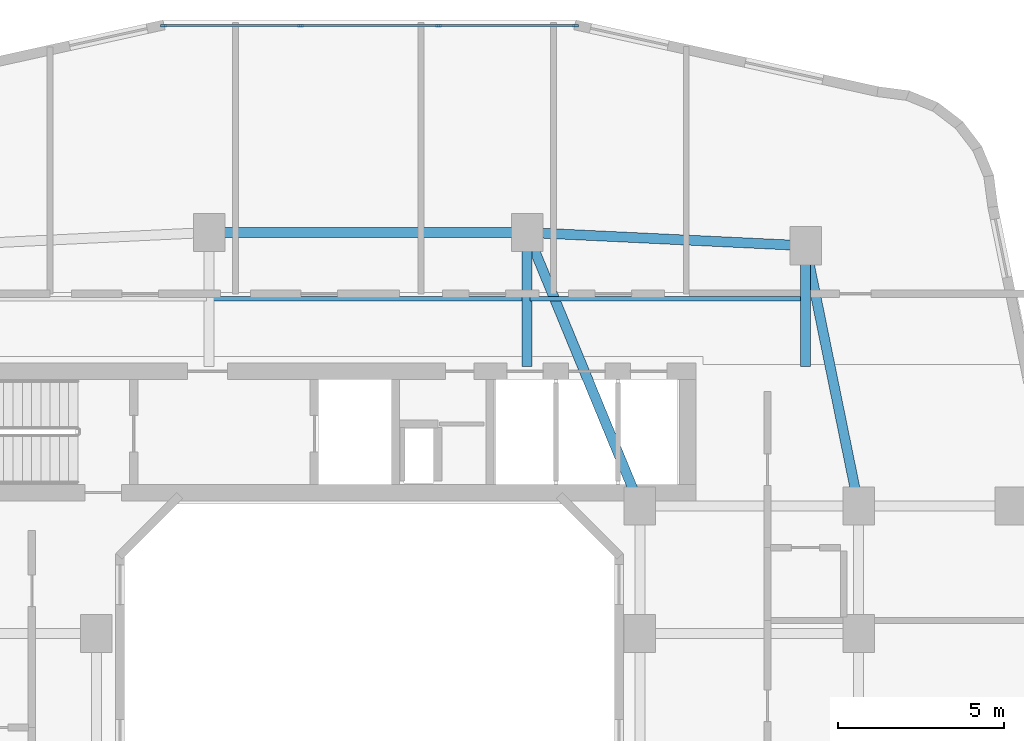
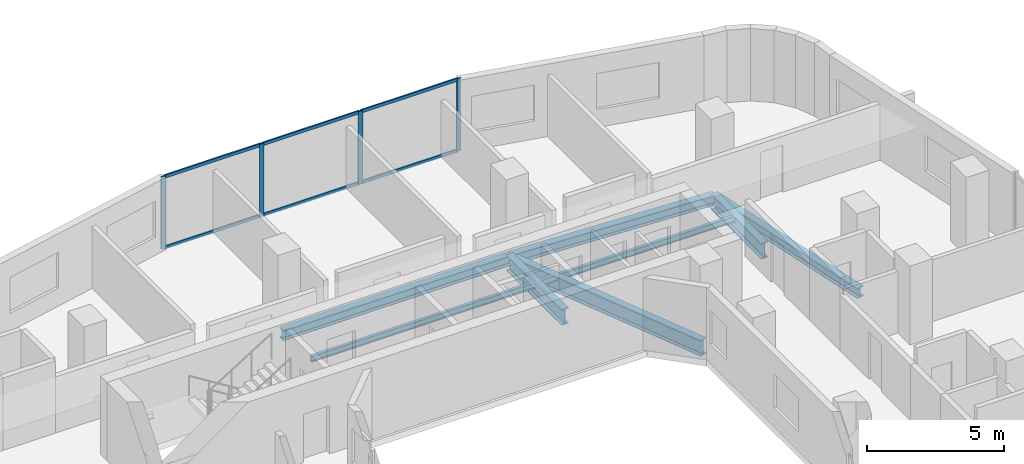
# One storey, part 7 of 27: 10 members, 8 beams, 1 element without a shape of its own.
"""IFC4 building model written with IfcOpenShell, lengths in metres."""

from ifc_helpers import new_model, si_unit, derived_unit, direction, frame, origin, origin_2d, place, context, subcontext, project, spatial, rectangle, i_section, extrude, material, layer, layer_set, material_profile, profile_set, type_object, element, aggregate, save


model = new_model("IFC4")

# Units and contexts
model_context = context("Model", 3, precision=1e-05, world=origin(), true_north=direction((0.0, 1.0)))
body_context = subcontext(model_context, "Body", "Model", "MODEL_VIEW")
ifc_project = project(units=[si_unit("LENGTHUNIT", "METRE"), si_unit("AREAUNIT", "SQUARE_METRE"), si_unit("VOLUMEUNIT", "CUBIC_METRE"), si_unit("PLANEANGLEUNIT", "RADIAN"), si_unit("MASSUNIT", "GRAM", prefix="KILO"), derived_unit("THERMALTRANSMITTANCEUNIT", [(si_unit("POWERUNIT", "WATT"), 1), (si_unit("LENGTHUNIT", "METRE"), -2), (si_unit("THERMODYNAMICTEMPERATUREUNIT", "KELVIN"), -1)])], contexts=[model_context])

# Site, building, storey
site_placement = place(None, origin())
site = spatial("IfcSite", under=ifc_project, at=site_placement, CompositionType="ELEMENT")
building_placement = place(site_placement, origin())
building = spatial("IfcBuilding", under=site, at=building_placement, Name="Kivonza Crest Hotel", CompositionType="ELEMENT")
storey_placement = place(building_placement, frame((0.0, 0.0, 73.0)))
storey = spatial("IfcBuildingStorey", under=building, at=storey_placement, Name="L19", CompositionType="ELEMENT", Elevation=73.0)

# Beams
ifc_material_1 = material(Name="Steel S355", Category="steel")
ifc_material_profile_1 = material_profile(ifc_material_1, i_section(OverallWidth=0.300048828125, OverallDepth=0.449951171875, WebThickness=0.013916015625, FlangeThickness=0.02587890625, FilletRadius=0.027099609375, at=origin_2d()), Name="HEB 450")
ifc_profile_set_1 = profile_set([ifc_material_profile_1], Name="Steel S355")
beam_type_1 = type_object("IfcBeamType", Name="BM-HEB450", PredefinedType="SPANDREL", material=ifc_profile_set_1)
beam_1_placement = place(storey_placement, frame((35.800048828125, 32.35009765625, -0.5048828125), z_axis=(-0.199730733965, 0.979850822273, 0.0), x_axis=(-0.979850822273, -0.199730733965, 0.0)))
element("IfcBeam", 1, at=beam_1_placement, inside=storey, type_object=beam_type_1, Name="Tower T1 L19 perimeter spandrel PNE-NE", PredefinedType="SPANDREL", context=body_context, shape_type="SweptSolid", body=[
    extrude(i_section(OverallWidth=0.300048828125, OverallDepth=0.449951171875, WebThickness=0.013916015625, FlangeThickness=0.02587890625, FilletRadius=0.027099609375, at=origin_2d()), origin(), (0.0, 0.0, 1.0), 8.01123046875),
])
beam_2_placement = place(storey_placement, frame((34.199951171875, 40.199951171875, -0.5048828125), z_axis=(-0.998867283688, 0.047583080799, 0.0), x_axis=(-0.047583080799, -0.998867283688, 0.0)))
element("IfcBeam", 2, at=beam_2_placement, inside=storey, type_object=beam_type_1, Name="Tower T1 L19 perimeter spandrel NE-N2", PredefinedType="SPANDREL", context=body_context, shape_type="SweptSolid", body=[
    extrude(i_section(OverallWidth=0.300048828125, OverallDepth=0.449951171875, WebThickness=0.013916015625, FlangeThickness=0.02587890625, FilletRadius=0.027099609375, at=origin_2d()), origin(), (0.0, 0.0, 1.0), 8.409423828125),
])
beam_3_placement = place(storey_placement, frame((25.800048828125, 40.60009765625, -0.5048828125), z_axis=(-1.0, 0.0, 0.0), x_axis=(0.0, -1.0, 0.0)))
element("IfcBeam", 3, at=beam_3_placement, inside=storey, type_object=beam_type_1, Name="Tower T1 L19 perimeter spandrel N2-N1", PredefinedType="SPANDREL", context=body_context, shape_type="SweptSolid", body=[
    extrude(i_section(OverallWidth=0.300048828125, OverallDepth=0.449951171875, WebThickness=0.013916015625, FlangeThickness=0.02587890625, FilletRadius=0.027099609375, at=origin_2d()), origin(), (0.0, 0.0, 1.0), 9.60009765625),
])
ifc_material_profile_2 = material_profile(ifc_material_1, i_section(OverallWidth=0.300048828125, OverallDepth=0.699951171875, WebThickness=0.01708984375, FlangeThickness=0.031982421875, FilletRadius=0.027099609375, at=origin_2d()), Name="HEB 700")
ifc_profile_set_2 = profile_set([ifc_material_profile_2], Name="Steel S355")
beam_type_2 = type_object("IfcBeamType", Name="BM-HEB700", PredefinedType="BEAM", material=ifc_profile_set_2)
beam_4_placement = place(storey_placement, frame((25.800048828125, 40.60009765625, -0.6298828125), z_axis=(0.381022260404, -0.924565864109, 0.0), x_axis=(0.924565864109, 0.381022260404, 0.0)))
element("IfcBeam", 4, at=beam_4_placement, inside=storey, type_object=beam_type_2, Name="Tower T1 L19 primary girder N1-TNE", PredefinedType="BEAM", context=body_context, shape_type="SweptSolid", body=[
    extrude(i_section(OverallWidth=0.300048828125, OverallDepth=0.699951171875, WebThickness=0.01708984375, FlangeThickness=0.031982421875, FilletRadius=0.027099609375, at=origin_2d()), origin(), (0.0, 0.0, 1.0), 8.923095703125),
])
beam_5_placement = place(storey_placement, frame((25.800048828125, 40.60009765625, -0.6298828125), z_axis=(0.0, -1.0, 0.0), x_axis=(1.0, 0.0, 0.0)))
element("IfcBeam", 5, at=beam_5_placement, inside=storey, type_object=beam_type_2, Name="Tower T1 L19 radial core girder RN2", PredefinedType="BEAM", context=body_context, shape_type="SweptSolid", body=[
    extrude(i_section(OverallWidth=0.300048828125, OverallDepth=0.699951171875, WebThickness=0.01708984375, FlangeThickness=0.031982421875, FilletRadius=0.027099609375, at=origin_2d()), origin(), (0.0, 0.0, 1.0), 4.050048828125),
])
beam_6_placement = place(storey_placement, frame((34.199951171875, 40.199951171875, -0.6298828125), z_axis=(0.0, -1.0, 0.0), x_axis=(1.0, 0.0, 0.0)))
element("IfcBeam", 6, at=beam_6_placement, inside=storey, type_object=beam_type_2, Name="Tower T1 L19 radial core girder RNE", PredefinedType="BEAM", context=body_context, shape_type="SweptSolid", body=[
    extrude(i_section(OverallWidth=0.300048828125, OverallDepth=0.699951171875, WebThickness=0.01708984375, FlangeThickness=0.031982421875, FilletRadius=0.027099609375, at=origin_2d()), origin(), (0.0, 0.0, 1.0), 3.64990234375),
])
ifc_material_profile_3 = material_profile(ifc_material_1, i_section(OverallWidth=0.135009765625, OverallDepth=0.27001953125, WebThickness=0.006591796875, FlangeThickness=0.01025390625, FilletRadius=0.014892578125, at=origin_2d()), Name="IPE 270")
ifc_profile_set_3 = profile_set([ifc_material_profile_3], Name="Steel S355")
beam_type_3 = type_object("IfcBeamType", Name="BM-IPE270", PredefinedType="JOIST", material=ifc_profile_set_3)
beam_7_placement = place(storey_placement, frame((16.280029296875, 38.60009765625, -0.4150390625), z_axis=(1.0, 0.0, 0.0), x_axis=(0.0, 1.0, 0.0)))
element("IfcBeam", 7, at=beam_7_placement, inside=storey, type_object=beam_type_3, Name="Tower T1 L19 North-Mid floor joist", PredefinedType="JOIST", context=body_context, shape_type="SweptSolid", body=[
    extrude(i_section(OverallWidth=0.135009765625, OverallDepth=0.27001953125, WebThickness=0.006591796875, FlangeThickness=0.01025390625, FilletRadius=0.014892578125, at=origin_2d()), origin(), (0.0, 0.0, 1.0), 9.43994140625),
])
beam_8_placement = place(storey_placement, frame((25.8798828125, 38.60009765625, -0.4150390625), z_axis=(1.0, 0.0, 0.0), x_axis=(0.0, 1.0, 0.0)))
element("IfcBeam", 8, at=beam_8_placement, inside=storey, type_object=beam_type_3, Name="Tower T1 L19 North-East floor joist", PredefinedType="JOIST", context=body_context, shape_type="SweptSolid", body=[
    extrude(i_section(OverallWidth=0.135009765625, OverallDepth=0.27001953125, WebThickness=0.006591796875, FlangeThickness=0.01025390625, FilletRadius=0.014892578125, at=origin_2d()), origin(), (0.0, 0.0, 1.0), 8.240234375),
])

# Curtain wall, members
ifc_material_2 = material(Name="Anodised bronze aluminium and low-E double glazing", Category="aluminium")
ifc_layer = layer(ifc_material_2, 0.179931640625)
ifc_layer_set = layer_set([ifc_layer], Name="Anodised bronze aluminium and low-E double glazing")
curtain_wall_type = type_object("IfcCurtainWallType", Name="CW-SYS-2", PredefinedType="NOTDEFINED", material=ifc_layer_set)
curtain_wall_placement = place(storey_placement, origin())
curtain_wall = element("IfcCurtainWall", 9, at=curtain_wall_placement, inside=storey, type_object=curtain_wall_type, Name="L19 unitised curtain wall CW-T1-L19-26", PredefinedType="NOTDEFINED")
ifc_material_3 = material(Name="Anodised bronze aluminium", Category="aluminium")
ifc_material_profile_4 = material_profile(ifc_material_3, rectangle(XDim=0.06494140625, YDim=0.179931640625, at=origin_2d()), Name="CW-M 65x180")
ifc_profile_set_4 = profile_set([ifc_material_profile_4], Name="Anodised bronze aluminium")
member_type_1 = type_object("IfcMemberType", Name="CW-MUL-65x180", PredefinedType="MULLION", material=ifc_profile_set_4)
member_1_placement = place(storey_placement, frame((27.255615234375, 46.840087890625, 0.0), z_axis=(0.0, 0.0, 1.0), x_axis=(0.0, -1.0, 0.0)))
member_1 = element("IfcMember", 10, at=member_1_placement, type_object=member_type_1, Name="CW-2 mullion 1", PredefinedType="MULLION", context=body_context, shape_type="SweptSolid", body=[
    extrude(rectangle(XDim=0.06494140625, YDim=0.179931640625, at=origin_2d()), origin(), (0.0, 0.0, 1.0), 3.219970703125),
])
member_2_placement = place(storey_placement, frame((23.12255859375, 46.840087890625, 0.0), z_axis=(0.0, 0.0, 1.0), x_axis=(0.0, -1.0, 0.0)))
member_2 = element("IfcMember", 11, at=member_2_placement, type_object=member_type_1, Name="CW-2 mullion 2", PredefinedType="MULLION", context=body_context, shape_type="SweptSolid", body=[
    extrude(rectangle(XDim=0.06494140625, YDim=0.179931640625, at=origin_2d()), origin(), (0.0, 0.0, 1.0), 3.219970703125),
])
member_3_placement = place(storey_placement, frame((18.957275390625, 46.840087890625, 0.0), z_axis=(0.0, 0.0, 1.0), x_axis=(0.0, -1.0, 0.0)))
member_3 = element("IfcMember", 12, at=member_3_placement, type_object=member_type_1, Name="CW-2 mullion 3", PredefinedType="MULLION", context=body_context, shape_type="SweptSolid", body=[
    extrude(rectangle(XDim=0.06494140625, YDim=0.179931640625, at=origin_2d()), origin(), (0.0, 0.0, 1.0), 3.219970703125),
])
member_4_placement = place(storey_placement, frame((14.824462890625, 46.840087890625, 0.0), z_axis=(0.0, 0.0, 1.0), x_axis=(0.0, -1.0, 0.0)))
member_4 = element("IfcMember", 13, at=member_4_placement, type_object=member_type_1, Name="CW-2 mullion 4", PredefinedType="MULLION", context=body_context, shape_type="SweptSolid", body=[
    extrude(rectangle(XDim=0.06494140625, YDim=0.179931640625, at=origin_2d()), origin(), (0.0, 0.0, 1.0), 3.219970703125),
])
ifc_material_profile_5 = material_profile(ifc_material_3, rectangle(XDim=0.06494140625, YDim=0.139892578125, at=origin_2d()), Name="CW-T 65x140")
ifc_profile_set_5 = profile_set([ifc_material_profile_5], Name="Anodised bronze aluminium")
member_type_2 = type_object("IfcMemberType", Name="CW-TRN-65x140", PredefinedType="USERDEFINED", material=ifc_profile_set_5)
member_5_placement = place(storey_placement, frame((27.222900390625, 46.840087890625, 0.032470703125), z_axis=(-1.0, 0.0, 0.0), x_axis=(0.0, -1.0, 0.0)))
member_5 = element("IfcMember", 14, at=member_5_placement, type_object=member_type_2, Name="CW-2 transom 1.1", ObjectType="TRANSOM", PredefinedType="USERDEFINED", context=body_context, shape_type="SweptSolid", body=[
    extrude(rectangle(XDim=0.06494140625, YDim=0.139892578125, at=origin_2d()), origin(), (0.0, 0.0, 1.0), 4.067626953125),
])
member_6_placement = place(storey_placement, frame((27.222900390625, 46.840087890625, 3.1875), z_axis=(-1.0, 0.0, 0.0), x_axis=(0.0, -1.0, 0.0)))
member_6 = element("IfcMember", 15, at=member_6_placement, type_object=member_type_2, Name="CW-2 transom 1.2", ObjectType="TRANSOM", PredefinedType="USERDEFINED", context=body_context, shape_type="SweptSolid", body=[
    extrude(rectangle(XDim=0.06494140625, YDim=0.139892578125, at=origin_2d()), origin(), (0.0, 0.0, 1.0), 4.067626953125),
])
member_7_placement = place(storey_placement, frame((23.090087890625, 46.840087890625, 0.032470703125), z_axis=(-1.0, 0.0, 0.0), x_axis=(0.0, -1.0, 0.0)))
member_7 = element("IfcMember", 16, at=member_7_placement, type_object=member_type_2, Name="CW-2 transom 2.1", ObjectType="TRANSOM", PredefinedType="USERDEFINED", context=body_context, shape_type="SweptSolid", body=[
    extrude(rectangle(XDim=0.06494140625, YDim=0.139892578125, at=origin_2d()), origin(), (0.0, 0.0, 1.0), 4.100341796875),
])
member_8_placement = place(storey_placement, frame((23.090087890625, 46.840087890625, 3.1875), z_axis=(-1.0, 0.0, 0.0), x_axis=(0.0, -1.0, 0.0)))
member_8 = element("IfcMember", 17, at=member_8_placement, type_object=member_type_2, Name="CW-2 transom 2.2", ObjectType="TRANSOM", PredefinedType="USERDEFINED", context=body_context, shape_type="SweptSolid", body=[
    extrude(rectangle(XDim=0.06494140625, YDim=0.139892578125, at=origin_2d()), origin(), (0.0, 0.0, 1.0), 4.100341796875),
])
member_9_placement = place(storey_placement, frame((18.9248046875, 46.840087890625, 0.032470703125), z_axis=(-1.0, 0.0, 0.0), x_axis=(0.0, -1.0, 0.0)))
member_9 = element("IfcMember", 18, at=member_9_placement, type_object=member_type_2, Name="CW-2 transom 3.1", ObjectType="TRANSOM", PredefinedType="USERDEFINED", context=body_context, shape_type="SweptSolid", body=[
    extrude(rectangle(XDim=0.06494140625, YDim=0.139892578125, at=origin_2d()), origin(), (0.0, 0.0, 1.0), 4.06787109375),
])
member_10_placement = place(storey_placement, frame((18.9248046875, 46.840087890625, 3.1875), z_axis=(-1.0, 0.0, 0.0), x_axis=(0.0, -1.0, 0.0)))
member_10 = element("IfcMember", 19, at=member_10_placement, type_object=member_type_2, Name="CW-2 transom 3.2", ObjectType="TRANSOM", PredefinedType="USERDEFINED", context=body_context, shape_type="SweptSolid", body=[
    extrude(rectangle(XDim=0.06494140625, YDim=0.139892578125, at=origin_2d()), origin(), (0.0, 0.0, 1.0), 4.06787109375),
])
aggregate(curtain_wall, [member_1, member_2, member_3, member_4, member_5, member_6, member_7, member_8, member_9, member_10])

save(model, "model.ifc")
